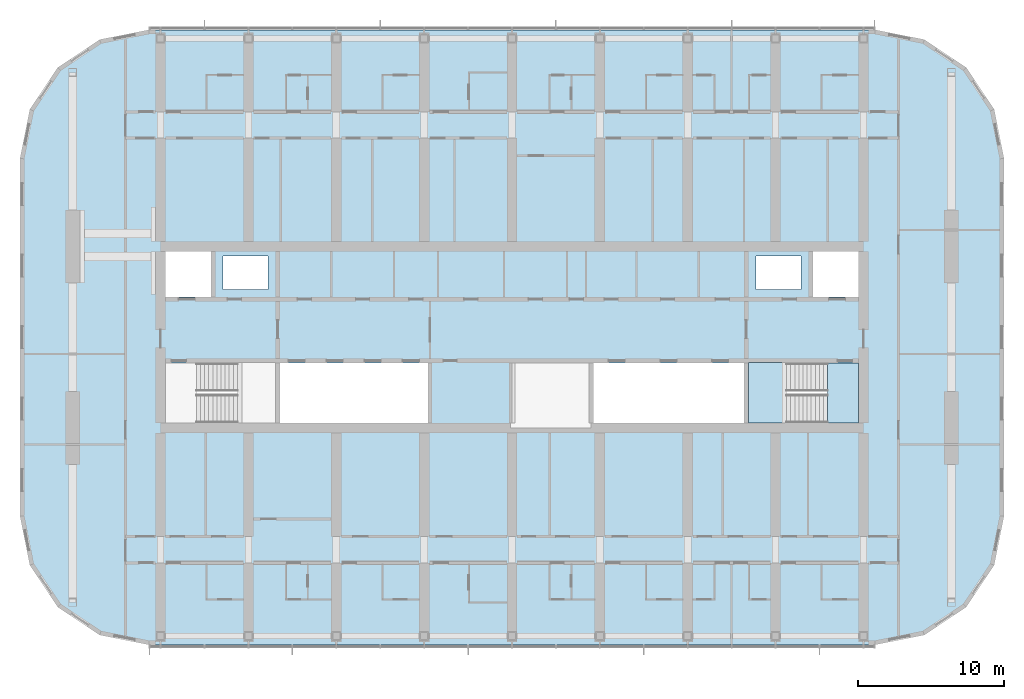
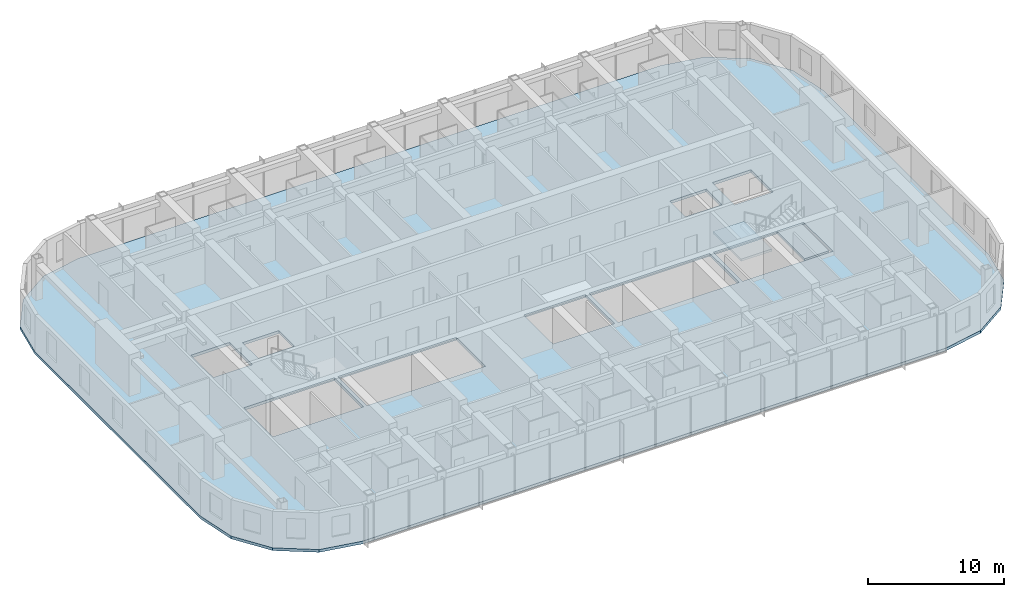
# One storey, part 8 of 23: 3 slabs, 1 element without a shape of its own.
"""IFC4 building model written with IfcOpenShell, lengths in metres."""

from ifc_helpers import new_model, si_unit, direction, frame, origin, place, context, subcontext, project, spatial, polyline, outline, extrude, material, layer, layer_set, type_object, element, aggregate, save


model = new_model("IFC4")

# Units and contexts
model_context = context("Model", 3, precision=1e-05, world=origin(), true_north=direction((0.0, 1.0)))
body_context = subcontext(model_context, "Body", "Model", "MODEL_VIEW")
ifc_project = project(units=[si_unit("LENGTHUNIT", "METRE"), si_unit("AREAUNIT", "SQUARE_METRE"), si_unit("VOLUMEUNIT", "CUBIC_METRE"), si_unit("PLANEANGLEUNIT", "RADIAN"), si_unit("MASSUNIT", "GRAM", prefix="KILO")], contexts=[model_context])

# Site, building, storey
site_placement = place(None, origin())
site = spatial("IfcSite", under=ifc_project, at=site_placement, CompositionType="ELEMENT")
building_placement = place(site_placement, origin())
building = spatial("IfcBuilding", under=site, at=building_placement, Name="Orbita Commons", CompositionType="ELEMENT")
storey_placement = place(building_placement, frame((0.0, 0.0, 212.800048828125)))
storey = spatial("IfcBuildingStorey", under=building, at=storey_placement, Name="L52", CompositionType="ELEMENT", Elevation=212.800048828125)

# Slab
ifc_material_1 = material(Name="Concrete C40/50", Category="concrete")
ifc_layer_1 = layer(ifc_material_1, 0.25)
ifc_layer_set_1 = layer_set([ifc_layer_1], Name="Concrete C40/50")
slab_type_1 = type_object("IfcSlabType", Name="Floor slab 250", PredefinedType="FLOOR", material=ifc_layer_set_1)
slab_1_placement = place(storey_placement, frame((0.0, 0.0, -0.25)))
element("IfcSlab", 1, at=slab_1_placement, inside=storey, type_object=slab_type_1, Name="Floor slab L52", PredefinedType="FLOOR", context=body_context, shape_type="SweptSolid", body=[
    extrude(outline(polyline([(66.800048828125, 11.0), (70.167724609375, 11.669921875), (73.0224609375, 13.577392578125), (74.93017578125, 16.432373046875), (75.60009765625, 19.800048828125), (75.60009765625, 44.199951171875), (74.93017578125, 47.567626953125), (73.0224609375, 50.422607421875), (70.167724609375, 52.330078125), (66.800048828125, 53.0), (17.199951171875, 53.0), (13.832275390625, 52.330078125), (10.9775390625, 50.422607421875), (9.06982421875, 47.567626953125), (8.39990234375, 44.199951171875), (8.39990234375, 19.800048828125), (9.06982421875, 16.432373046875), (10.9775390625, 13.577392578125), (13.832275390625, 11.669921875), (17.199951171875, 11.0), (66.800048828125, 11.0)]), holes=[polyline([(18.14990234375, 25.949951171875), (25.85009765625, 25.949951171875), (25.85009765625, 30.25), (18.14990234375, 30.25), (18.14990234375, 25.949951171875)]), polyline([(58.14990234375, 25.949951171875), (65.85009765625, 25.949951171875), (65.85009765625, 30.25), (58.14990234375, 30.25), (58.14990234375, 25.949951171875)]), polyline([(18.14990234375, 34.75), (21.449951171875, 34.75), (21.449951171875, 38.050048828125), (18.14990234375, 38.050048828125), (18.14990234375, 34.75)]), polyline([(62.550048828125, 34.75), (65.85009765625, 34.75), (65.85009765625, 38.050048828125), (62.550048828125, 38.050048828125), (62.550048828125, 34.75)]), polyline([(22.25, 35.25), (25.35009765625, 35.25), (25.35009765625, 37.550048828125), (22.25, 37.550048828125), (22.25, 35.25)]), polyline([(58.64990234375, 35.25), (61.75, 35.25), (61.75, 37.550048828125), (58.64990234375, 37.550048828125), (58.64990234375, 35.25)]), polyline([(26.14990234375, 25.949951171875), (36.25, 25.949951171875), (36.25, 30.25), (26.14990234375, 30.25), (26.14990234375, 25.949951171875)]), polyline([(42.0, 25.949951171875), (47.25, 25.949951171875), (47.25, 30.25), (42.0, 30.25), (42.0, 25.949951171875)]), polyline([(47.550048828125, 25.949951171875), (57.85009765625, 25.949951171875), (57.85009765625, 30.25), (47.550048828125, 30.25), (47.550048828125, 25.949951171875)])]), origin(), (0.0, 0.0, 1.0), 0.25),
])

# Stair, slabs
ifc_material_2 = material(Name="Precast concrete C40/50", Category="concrete")
stair_type = type_object("IfcStairType", Name="Exit stair S2 2 flights 11 risers 170", PredefinedType="HALF_TURN_STAIR", material=ifc_material_2)
stair_placement = place(storey_placement, origin())
stair = element("IfcStair", 2, at=stair_placement, inside=storey, type_object=stair_type, Name="Exit stair S2 L52", PredefinedType="HALF_TURN_STAIR")
ifc_material_3 = material(Name="Concrete C40/50", Category="concrete")
ifc_layer_2 = layer(ifc_material_3, 0.199951171875)
ifc_layer_set_2 = layer_set([ifc_layer_2], Name="Concrete C40/50")
slab_type_2 = type_object("IfcSlabType", Name="Stair landing 200", PredefinedType="LANDING", material=ifc_layer_set_2)
slab_2_placement = place(storey_placement, frame((0.0, 0.0, -0.199951171875)))
slab_2 = element("IfcSlab", 3, at=slab_2_placement, type_object=slab_type_2, Name="S2 landing 1", PredefinedType="LANDING", context=body_context, shape_type="SweptSolid", body=[
    extrude(outline(polyline([(63.550048828125, 26.14990234375), (65.64990234375, 26.14990234375), (65.64990234375, 30.25), (63.550048828125, 30.25), (63.550048828125, 26.14990234375)])), origin(), (0.0, 0.0, 1.0), 0.199951171875),
])
slab_3_placement = place(storey_placement, frame((0.0, 0.0, 1.675048828125)))
slab_3 = element("IfcSlab", 4, at=slab_3_placement, type_object=slab_type_2, Name="S2 landing 2", PredefinedType="LANDING", context=body_context, shape_type="SweptSolid", body=[
    extrude(outline(polyline([(58.135009765625, 26.135009765625), (60.75, 26.135009765625), (60.75, 30.264892578125), (58.135009765625, 30.264892578125), (58.135009765625, 26.135009765625)])), origin(), (0.0, 0.0, 1.0), 0.199951171875),
])
aggregate(stair, [slab_2, slab_3])

save(model, "model.ifc")
